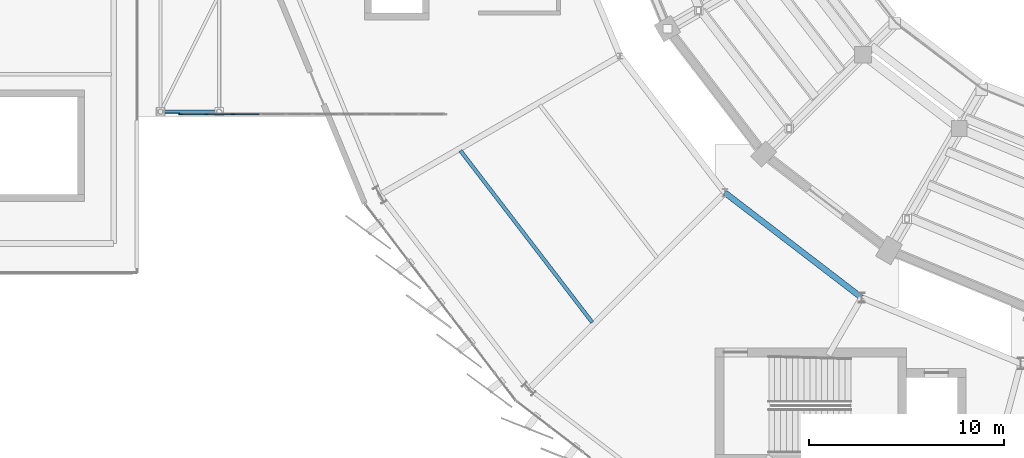
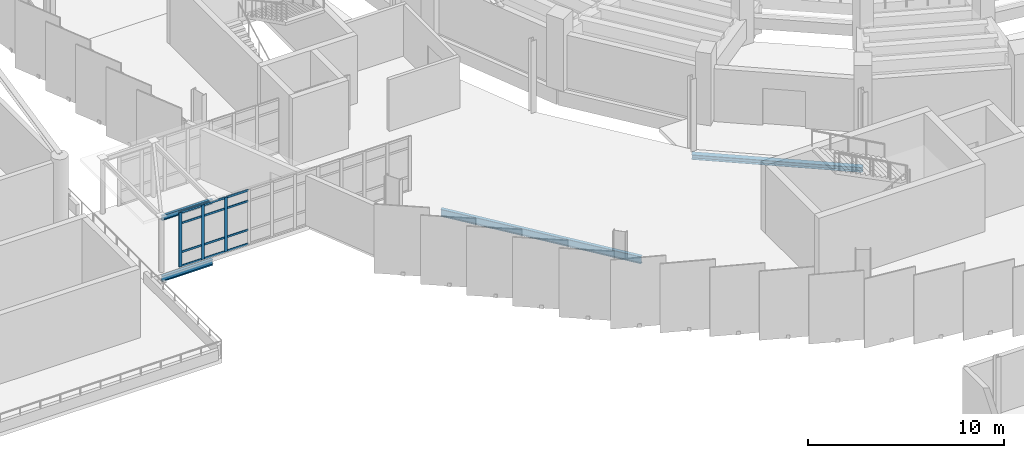
# One storey, part 27 of 120: 15 members, 4 beams, 1 element without a shape of its own.
"""IFC4 building model written with IfcOpenShell, lengths in metres."""

import ifcopenshell
import ifcopenshell.guid

model = None  # the IFC model being written
_history = None  # IfcOwnerHistory: only IFC2X3 demands one
_inside = {}  # id of a spatial element -> (the spatial element, [elements in it])
_under = {}  # id of a project, library or spatial element -> (it, [spatial elements below it])
_declared = {}  # id of a project -> (the project, [libraries it declares])
_typed = {}  # id of a type object -> (the type object, [elements of that type])
_made_of = {}  # id of a material, layer set ... -> (it, [elements and type objects made of it])


def new_model(schema):
    """Start an empty IFC model of exactly this schema.

    Asked for "IFC4X3", IfcOpenShell would pick the latest addendum, in which some entities
    have other attributes; the version numbers below select the first issue.
    IFC2X3 requires an IfcOwnerHistory on every rooted entity: one is made here for all.
    """
    global model, _history
    if schema == "IFC4X3":
        model = ifcopenshell.file(schema_version=(4, 3, 0, 0))
    else:
        model = ifcopenshell.file(schema=schema)
    _inside.clear()
    _under.clear()
    _declared.clear()
    _typed.clear()
    _made_of.clear()
    _history = None
    if model.schema == "IFC2X3":
        org = make("IfcOrganization", Name="unknown")
        user = make(
            "IfcPersonAndOrganization",
            ThePerson=make("IfcPerson", FamilyName="unknown"),
            TheOrganization=org,
        )
        app = make(
            "IfcApplication",
            ApplicationDeveloper=org,
            Version="unknown",
            ApplicationFullName="unknown",
            ApplicationIdentifier="unknown",
        )
        _history = make(
            "IfcOwnerHistory",
            OwningUser=user,
            OwningApplication=app,
            ChangeAction="ADDED",
            CreationDate=0,
        )
    return model


def make(cls, **values):
    """One entity of the class cls with the attributes given. An attribute that is None is left unset."""
    return model.create_entity(
        cls, **{name: value for name, value in values.items() if value is not None}
    )


def rooted(cls, **values):
    """An entity with a GlobalId (a new one), such as an element, a storey or a relation."""
    return make(cls, GlobalId=ifcopenshell.guid.new(), OwnerHistory=_history, **values)


def si_unit(unit_type, name, prefix=None):
    """IfcSIUnit, for example si_unit("LENGTHUNIT", "METRE", prefix="MILLI")."""
    return make("IfcSIUnit", UnitType=unit_type, Prefix=prefix, Name=name)


def assignment(units):
    """IfcUnitAssignment: the units of a project."""
    return None if units is None else make("IfcUnitAssignment", Units=units)


def point(xyz):
    """IfcCartesianPoint."""
    return None if xyz is None else make("IfcCartesianPoint", Coordinates=xyz)


def direction(xyz):
    """IfcDirection."""
    return None if xyz is None else make("IfcDirection", DirectionRatios=xyz)


def frame(location, z_axis=None, x_axis=None):
    """IfcAxis2Placement3D, a coordinate frame: its origin and axes. An axis left out is left unset."""
    return make(
        "IfcAxis2Placement3D",
        Location=point(location),
        Axis=direction(z_axis),
        RefDirection=direction(x_axis),
    )


def frame_2d(location, x_axis=None):
    """IfcAxis2Placement2D, a coordinate frame in the plane: its origin and x axis."""
    return make(
        "IfcAxis2Placement2D", Location=point(location), RefDirection=direction(x_axis)
    )


def origin():
    """The frame at (0, 0, 0) with its axes left unset."""
    return frame((0.0, 0.0, 0.0))


def origin_2d():
    """The frame at (0, 0) in the plane with its x axis left unset."""
    return frame_2d((0.0, 0.0))


def place(relative_to, where):
    """IfcLocalPlacement: puts the frame where relative to a parent placement (None: the world)."""
    return make(
        "IfcLocalPlacement", PlacementRelTo=relative_to, RelativePlacement=where
    )


def context(
    kind, dimensions, precision=None, world=None, true_north=None, identifier=None
):
    """IfcGeometricRepresentationContext, for example the 3D "Model" context."""
    return make(
        "IfcGeometricRepresentationContext",
        ContextIdentifier=identifier,
        ContextType=kind,
        CoordinateSpaceDimension=dimensions,
        Precision=precision,
        WorldCoordinateSystem=world,
        TrueNorth=true_north,
    )


def subcontext(parent, identifier, kind, view, scale=None):
    """IfcGeometricRepresentationSubContext, for example "Body" below "Model"."""
    return make(
        "IfcGeometricRepresentationSubContext",
        ContextIdentifier=identifier,
        ContextType=kind,
        ParentContext=parent,
        TargetScale=scale,
        TargetView=view,
    )


def project(units=None, contexts=None):
    """IfcProject with its units and contexts."""
    return rooted(
        "IfcProject",
        Name="project",
        RepresentationContexts=contexts,
        UnitsInContext=assignment(units),
    )


def spatial(cls, under=None, at=None, **own):
    """A site, building, storey or space (cls), placed at a placement, below another one or the project."""
    s = rooted(cls, ObjectPlacement=at, **own)
    if under is not None:
        _under.setdefault(under.id(), (under, []))[1].append(s)
    return s


def profile(cls, at=None, kind="AREA", **sizes):
    """A parametric profile (cls). Its sizes go by their IFC names, for example OverallWidth=200.0."""
    return make(cls, ProfileType=kind, Position=at, **sizes)


def rectangle(**sizes):
    """IfcRectangleProfileDef."""
    return profile("IfcRectangleProfileDef", **sizes)


def i_section(**sizes):
    """IfcIShapeProfileDef."""
    return profile("IfcIShapeProfileDef", **sizes)


def extrude(swept, where, along, depth):
    """IfcExtrudedAreaSolid: the profile swept, set in the frame where, extruded along a direction by depth."""
    return make(
        "IfcExtrudedAreaSolid",
        SweptArea=swept,
        Position=where,
        ExtrudedDirection=direction(along),
        Depth=depth,
    )


def shape(context_of_items, identifier, shape_type, items):
    """IfcShapeRepresentation: the items that make up one representation, for example the "Body"."""
    return make(
        "IfcShapeRepresentation",
        ContextOfItems=context_of_items,
        RepresentationIdentifier=identifier,
        RepresentationType=shape_type,
        Items=items,
    )


def material(Name=None, Category=None):
    """IfcMaterial."""
    return make("IfcMaterial", Name=Name, Category=Category)


def layer(
    of_material, thickness, ventilated=None, Name=None, Category=None, Priority=None
):
    """IfcMaterialLayer: one layer of a wall or slab, of a material (None: an air gap)."""
    return make(
        "IfcMaterialLayer",
        Material=of_material,
        LayerThickness=thickness,
        IsVentilated=ventilated,
        Name=Name,
        Category=Category,
        Priority=Priority,
    )


def layer_set(layers, Name=None):
    """IfcMaterialLayerSet."""
    return make("IfcMaterialLayerSet", MaterialLayers=layers, LayerSetName=Name)


def material_profile(
    of_material, cross_section, Name=None, Category=None, Priority=None
):
    """IfcMaterialProfile: a cross section and its material."""
    return make(
        "IfcMaterialProfile",
        Name=Name,
        Material=of_material,
        Profile=cross_section,
        Priority=Priority,
        Category=Category,
    )


def profile_set(profiles, Name=None, composite=None):
    """IfcMaterialProfileSet."""
    return make(
        "IfcMaterialProfileSet",
        Name=Name,
        MaterialProfiles=profiles,
        CompositeProfile=composite,
    )


def made_of(thing, what):
    """Note that an element or type object is made of a material, layer set ...; save() writes the relation."""
    if what is not None:
        _made_of.setdefault(what.id(), (what, []))[1].append(thing)
    return thing


def type_object(cls, material=None, **own):
    """A type object (cls), such as IfcWallType, which elements share."""
    return made_of(rooted(cls, **own), material)


def element(
    cls,
    number,
    at=None,
    inside=None,
    cuts=None,
    type_object=None,
    material=None,
    context=None,
    identifier="Body",
    shape_type=None,
    held_by="IfcProductDefinitionShape",
    body=None,
    shapes=None,
    **own,
):
    """One element of the class cls, such as IfcWall. Its Tag is "e" and its number.

    at: its placement. inside: the storey or other place that contains it. cuts: it is an
    opening in that element (IfcRelVoidsElement). A single representation is given by context,
    identifier, shape_type and body (its items); several are given by shapes. held_by: the class
    of the entity that holds the representations. save() writes the other relations.
    """
    e = rooted(cls, Tag="e%d" % number, ObjectPlacement=at, **own)
    if body is not None:
        shapes = [shape(context, identifier, shape_type, body)]
    if shapes is not None:
        e.Representation = make(held_by, Representations=shapes)
    if inside is not None:
        _inside.setdefault(inside.id(), (inside, []))[1].append(e)
    if cuts is not None:
        rooted(
            "IfcRelVoidsElement", RelatingBuildingElement=cuts, RelatedOpeningElement=e
        )
    if type_object is not None:
        _typed.setdefault(type_object.id(), (type_object, []))[1].append(e)
    return made_of(e, material)


def aggregate(whole, parts):
    """IfcRelAggregates: a whole, such as a stair, and the parts it consists of."""
    return rooted("IfcRelAggregates", RelatingObject=whole, RelatedObjects=parts)


def save(model, path):
    """Write the relations noted so far, then the file.

    IfcRelAggregates (storeys below a building ...), IfcRelContainedInSpatialStructure (elements
    in a storey), IfcRelDefinesByType, IfcRelAssociatesMaterial and IfcRelDeclares: one each for
    every whole, place, type object, material and project.
    """
    for whole, parts in _under.values():
        aggregate(whole, parts)
    for where, things in _inside.values():
        rooted(
            "IfcRelContainedInSpatialStructure",
            RelatedElements=things,
            RelatingStructure=where,
        )
    for kind, things in _typed.values():
        rooted("IfcRelDefinesByType", RelatedObjects=things, RelatingType=kind)
    for what, things in _made_of.values():
        rooted("IfcRelAssociatesMaterial", RelatedObjects=things, RelatingMaterial=what)
    for by, libraries in _declared.values():
        rooted("IfcRelDeclares", RelatingContext=by, RelatedDefinitions=libraries)
    model.write(path)


model = new_model("IFC4")

# Units and contexts
model_context = context("Model", 3, precision=1e-05, world=origin(), true_north=direction((0.0, 1.0)))
body_context = subcontext(model_context, "Body", "Model", "MODEL_VIEW")
ifc_project = project(units=[si_unit("LENGTHUNIT", "METRE"), si_unit("AREAUNIT", "SQUARE_METRE"), si_unit("VOLUMEUNIT", "CUBIC_METRE"), si_unit("PLANEANGLEUNIT", "RADIAN"), si_unit("MASSUNIT", "GRAM", prefix="KILO")], contexts=[model_context])

# Site, building, storey
site_placement = place(None, origin())
site = spatial("IfcSite", under=ifc_project, at=site_placement, CompositionType="ELEMENT")
building_placement = place(site_placement, origin())
building = spatial("IfcBuilding", under=site, at=building_placement, Name="Sohan Crest Arena", CompositionType="ELEMENT")
storey_placement = place(building_placement, frame((0.0, 0.0, 13.5)))
storey = spatial("IfcBuildingStorey", under=building, at=storey_placement, Name="L03", CompositionType="ELEMENT", Elevation=13.5)

# Curtain wall, members
ifc_material_1 = material(Name="Thermally broken anodised aluminium", Category="aluminium")
ifc_layer = layer(ifc_material_1, 0.18994140625, Name="Thermally broken anodised aluminium")
ifc_layer_set = layer_set([ifc_layer], Name="Thermally broken anodised aluminium")
curtain_wall_type = type_object("IfcCurtainWallType", Name="ARC-CW05", PredefinedType="NOTDEFINED", material=ifc_layer_set)
curtain_wall_placement = place(storey_placement, origin())
curtain_wall = element("IfcCurtainWall", 1, at=curtain_wall_placement, inside=storey, type_object=curtain_wall_type, Name="Unitised curtain wall CW-229", PredefinedType="NOTDEFINED")
ifc_material_profile_1 = material_profile(ifc_material_1, rectangle(XDim=0.06494140625, YDim=0.179931640625, at=origin_2d()), Name="ALU-MULL 65x180")
ifc_profile_set_1 = profile_set([ifc_material_profile_1], Name="Thermally broken anodised aluminium")
member_type_1 = type_object("IfcMemberType", Name="ARC-CW-ML02", PredefinedType="MULLION", material=ifc_profile_set_1)
member_1_placement = place(storey_placement, frame((46.232421875, 58.1201171875, 0.0), z_axis=(0.0, 0.0, 1.0), x_axis=(0.0, 1.0, 0.0)))
member_1 = element("IfcMember", 2, at=member_1_placement, type_object=member_type_1, Name="CW-229 mullion 1", PredefinedType="MULLION", context=body_context, shape_type="SweptSolid", body=[
    extrude(rectangle(XDim=0.06494140625, YDim=0.179931640625, at=origin_2d()), origin(), (0.0, 0.0, 1.0), 3.39990234375),
])
member_2_placement = place(storey_placement, frame((47.56005859375, 58.1201171875, 0.0), z_axis=(0.0, 0.0, 1.0), x_axis=(0.0, 1.0, 0.0)))
member_2 = element("IfcMember", 3, at=member_2_placement, type_object=member_type_1, Name="CW-229 mullion 2", PredefinedType="MULLION", context=body_context, shape_type="SweptSolid", body=[
    extrude(rectangle(XDim=0.06494140625, YDim=0.179931640625, at=origin_2d()), origin(), (0.0, 0.0, 1.0), 3.39990234375),
])
member_3_placement = place(storey_placement, frame((48.919921875, 58.1201171875, 0.0), z_axis=(0.0, 0.0, 1.0), x_axis=(0.0, 1.0, 0.0)))
member_3 = element("IfcMember", 4, at=member_3_placement, type_object=member_type_1, Name="CW-229 mullion 3", PredefinedType="MULLION", context=body_context, shape_type="SweptSolid", body=[
    extrude(rectangle(XDim=0.06494140625, YDim=0.179931640625, at=origin_2d()), origin(), (0.0, 0.0, 1.0), 3.39990234375),
])
ifc_material_profile_2 = material_profile(ifc_material_1, rectangle(XDim=0.06005859375, YDim=0.1201171875, at=origin_2d()), Name="ALU-TRAN 60x120")
ifc_profile_set_2 = profile_set([ifc_material_profile_2], Name="Thermally broken anodised aluminium")
member_type_2 = type_object("IfcMemberType", Name="ARC-CW-TR01", PredefinedType="USERDEFINED", material=ifc_profile_set_2)
member_4_placement = place(storey_placement, frame((46.264892578125, 58.1201171875, 0.030029296875), z_axis=(1.0, 0.0, 0.0), x_axis=(0.0, 1.0, 0.0)))
member_4 = element("IfcMember", 5, at=member_4_placement, type_object=member_type_2, Name="CW-229 transom 1.1", ObjectType="TRANSOM", PredefinedType="USERDEFINED", context=body_context, shape_type="SweptSolid", body=[
    extrude(rectangle(XDim=0.06005859375, YDim=0.1201171875, at=origin_2d()), origin(), (0.0, 0.0, 1.0), 1.2626953125),
])
member_5_placement = place(storey_placement, frame((46.264892578125, 58.1201171875, 0.89990234375), z_axis=(1.0, 0.0, 0.0), x_axis=(0.0, 1.0, 0.0)))
member_5 = element("IfcMember", 6, at=member_5_placement, type_object=member_type_2, Name="CW-229 transom 1.2", ObjectType="TRANSOM", PredefinedType="USERDEFINED", context=body_context, shape_type="SweptSolid", body=[
    extrude(rectangle(XDim=0.06005859375, YDim=0.1201171875, at=origin_2d()), origin(), (0.0, 0.0, 1.0), 1.2626953125),
])
member_6_placement = place(storey_placement, frame((46.264892578125, 58.1201171875, 2.699951171875), z_axis=(1.0, 0.0, 0.0), x_axis=(0.0, 1.0, 0.0)))
member_6 = element("IfcMember", 7, at=member_6_placement, type_object=member_type_2, Name="CW-229 transom 1.3", ObjectType="TRANSOM", PredefinedType="USERDEFINED", context=body_context, shape_type="SweptSolid", body=[
    extrude(rectangle(XDim=0.06005859375, YDim=0.1201171875, at=origin_2d()), origin(), (0.0, 0.0, 1.0), 1.2626953125),
])
member_7_placement = place(storey_placement, frame((46.264892578125, 58.1201171875, 3.3701171875), z_axis=(1.0, 0.0, 0.0), x_axis=(0.0, 1.0, 0.0)))
member_7 = element("IfcMember", 8, at=member_7_placement, type_object=member_type_2, Name="CW-229 transom 1.4", ObjectType="TRANSOM", PredefinedType="USERDEFINED", context=body_context, shape_type="SweptSolid", body=[
    extrude(rectangle(XDim=0.06005859375, YDim=0.1201171875, at=origin_2d()), origin(), (0.0, 0.0, 1.0), 1.2626953125),
])
member_8_placement = place(storey_placement, frame((47.592529296875, 58.1201171875, 0.030029296875), z_axis=(1.0, 0.0, 0.0), x_axis=(0.0, 1.0, 0.0)))
member_8 = element("IfcMember", 9, at=member_8_placement, type_object=member_type_2, Name="CW-229 transom 2.1", ObjectType="TRANSOM", PredefinedType="USERDEFINED", context=body_context, shape_type="SweptSolid", body=[
    extrude(rectangle(XDim=0.06005859375, YDim=0.1201171875, at=origin_2d()), origin(), (0.0, 0.0, 1.0), 1.294921875),
])
member_9_placement = place(storey_placement, frame((47.592529296875, 58.1201171875, 0.89990234375), z_axis=(1.0, 0.0, 0.0), x_axis=(0.0, 1.0, 0.0)))
member_9 = element("IfcMember", 10, at=member_9_placement, type_object=member_type_2, Name="CW-229 transom 2.2", ObjectType="TRANSOM", PredefinedType="USERDEFINED", context=body_context, shape_type="SweptSolid", body=[
    extrude(rectangle(XDim=0.06005859375, YDim=0.1201171875, at=origin_2d()), origin(), (0.0, 0.0, 1.0), 1.294921875),
])
member_10_placement = place(storey_placement, frame((47.592529296875, 58.1201171875, 2.699951171875), z_axis=(1.0, 0.0, 0.0), x_axis=(0.0, 1.0, 0.0)))
member_10 = element("IfcMember", 11, at=member_10_placement, type_object=member_type_2, Name="CW-229 transom 2.3", ObjectType="TRANSOM", PredefinedType="USERDEFINED", context=body_context, shape_type="SweptSolid", body=[
    extrude(rectangle(XDim=0.06005859375, YDim=0.1201171875, at=origin_2d()), origin(), (0.0, 0.0, 1.0), 1.294921875),
])
member_11_placement = place(storey_placement, frame((47.592529296875, 58.1201171875, 3.3701171875), z_axis=(1.0, 0.0, 0.0), x_axis=(0.0, 1.0, 0.0)))
member_11 = element("IfcMember", 12, at=member_11_placement, type_object=member_type_2, Name="CW-229 transom 2.4", ObjectType="TRANSOM", PredefinedType="USERDEFINED", context=body_context, shape_type="SweptSolid", body=[
    extrude(rectangle(XDim=0.06005859375, YDim=0.1201171875, at=origin_2d()), origin(), (0.0, 0.0, 1.0), 1.294921875),
])
member_12_placement = place(storey_placement, frame((48.952392578125, 58.1201171875, 0.030029296875), z_axis=(1.0, 0.0, 0.0), x_axis=(0.0, 1.0, 0.0)))
member_12 = element("IfcMember", 13, at=member_12_placement, type_object=member_type_2, Name="CW-229 transom 3.1", ObjectType="TRANSOM", PredefinedType="USERDEFINED", context=body_context, shape_type="SweptSolid", body=[
    extrude(rectangle(XDim=0.06005859375, YDim=0.1201171875, at=origin_2d()), origin(), (0.0, 0.0, 1.0), 1.295166015625),
])
member_13_placement = place(storey_placement, frame((48.952392578125, 58.1201171875, 0.89990234375), z_axis=(1.0, 0.0, 0.0), x_axis=(0.0, 1.0, 0.0)))
member_13 = element("IfcMember", 14, at=member_13_placement, type_object=member_type_2, Name="CW-229 transom 3.2", ObjectType="TRANSOM", PredefinedType="USERDEFINED", context=body_context, shape_type="SweptSolid", body=[
    extrude(rectangle(XDim=0.06005859375, YDim=0.1201171875, at=origin_2d()), origin(), (0.0, 0.0, 1.0), 1.295166015625),
])
member_14_placement = place(storey_placement, frame((48.952392578125, 58.1201171875, 2.699951171875), z_axis=(1.0, 0.0, 0.0), x_axis=(0.0, 1.0, 0.0)))
member_14 = element("IfcMember", 15, at=member_14_placement, type_object=member_type_2, Name="CW-229 transom 3.3", ObjectType="TRANSOM", PredefinedType="USERDEFINED", context=body_context, shape_type="SweptSolid", body=[
    extrude(rectangle(XDim=0.06005859375, YDim=0.1201171875, at=origin_2d()), origin(), (0.0, 0.0, 1.0), 1.295166015625),
])
member_15_placement = place(storey_placement, frame((48.952392578125, 58.1201171875, 3.3701171875), z_axis=(1.0, 0.0, 0.0), x_axis=(0.0, 1.0, 0.0)))
member_15 = element("IfcMember", 16, at=member_15_placement, type_object=member_type_2, Name="CW-229 transom 3.4", ObjectType="TRANSOM", PredefinedType="USERDEFINED", context=body_context, shape_type="SweptSolid", body=[
    extrude(rectangle(XDim=0.06005859375, YDim=0.1201171875, at=origin_2d()), origin(), (0.0, 0.0, 1.0), 1.295166015625),
])
aggregate(curtain_wall, [member_1, member_2, member_3, member_4, member_5, member_6, member_7, member_8, member_9, member_10, member_11, member_12, member_13, member_14, member_15])

# Beams
ifc_material_2 = material(Name="Steel S355", Category="steel")
ifc_material_profile_3 = material_profile(ifc_material_2, i_section(OverallWidth=0.14990234375, OverallDepth=0.300048828125, WebThickness=0.007080078125, FlangeThickness=0.0107421875, at=origin_2d()), Name="IPE 300")
ifc_profile_set_3 = profile_set([ifc_material_profile_3], Name="Steel S355")
beam_type_1 = type_object("IfcBeamType", Name="STR-BM-B01", PredefinedType="JOIST", material=ifc_profile_set_3)
beam_1_placement = place(storey_placement, frame((45.199951171875, 58.25, 3.324951171875), z_axis=(1.0, 0.0, 0.0), x_axis=(0.0, 1.0, 0.0)))
element("IfcBeam", 17, at=beam_1_placement, inside=storey, type_object=beam_type_1, Name="Structural beam BRG-L03-2936", PredefinedType="JOIST", context=body_context, shape_type="SweptSolid", body=[
    extrude(i_section(OverallWidth=0.14990234375, OverallDepth=0.300048828125, WebThickness=0.007080078125, FlangeThickness=0.0107421875, at=origin_2d()), origin(), (0.0, 0.0, 1.0), 3.0),
])
ifc_material_profile_4 = material_profile(ifc_material_2, i_section(OverallWidth=0.169921875, OverallDepth=0.360107421875, WebThickness=0.008056640625, FlangeThickness=0.0126953125, at=origin_2d()), Name="IPE 360")
ifc_profile_set_4 = profile_set([ifc_material_profile_4], Name="Steel S355")
beam_type_2 = type_object("IfcBeamType", Name="STR-BM-B02", PredefinedType="JOIST", material=ifc_profile_set_4)
beam_2_placement = place(storey_placement, frame((45.199951171875, 58.25, -0.455078125), z_axis=(1.0, 0.0, 0.0), x_axis=(0.0, 1.0, 0.0)))
element("IfcBeam", 18, at=beam_2_placement, inside=storey, type_object=beam_type_2, Name="Structural beam BG-L03-2932", PredefinedType="JOIST", context=body_context, shape_type="SweptSolid", body=[
    extrude(i_section(OverallWidth=0.169921875, OverallDepth=0.360107421875, WebThickness=0.008056640625, FlangeThickness=0.0126953125, at=origin_2d()), origin(), (0.0, 0.0, 1.0), 3.0),
])
ifc_material_profile_5 = material_profile(ifc_material_2, i_section(OverallWidth=0.18994140625, OverallDepth=0.449951171875, WebThickness=0.009521484375, FlangeThickness=0.0146484375, at=origin_2d()), Name="IPE 450")
ifc_profile_set_5 = profile_set([ifc_material_profile_5], Name="Steel S355")
beam_type_3 = type_object("IfcBeamType", Name="STR-BM-B04", PredefinedType="JOIST", material=ifc_profile_set_5)
beam_3_placement = place(storey_placement, frame((60.555908203125, 56.256103515625, -0.47509765625), z_axis=(0.608788813613, -0.793332326594, 0.0), x_axis=(0.793332326594, 0.608788813613, 0.0)))
element("IfcBeam", 19, at=beam_3_placement, inside=storey, type_object=beam_type_3, Name="Structural beam J-L03-1434", PredefinedType="JOIST", context=body_context, shape_type="SweptSolid", body=[
    extrude(i_section(OverallWidth=0.18994140625, OverallDepth=0.449951171875, WebThickness=0.009521484375, FlangeThickness=0.0146484375, at=origin_2d()), origin(), (0.0, 0.0, 1.0), 11.087646484375),
])
ifc_material_profile_6 = material_profile(ifc_material_2, i_section(OverallWidth=0.300048828125, OverallDepth=0.300048828125, WebThickness=0.010986328125, FlangeThickness=0.01904296875, at=origin_2d()), Name="HEB 300")
ifc_profile_set_6 = profile_set([ifc_material_profile_6], Name="Steel S355")
beam_type_4 = type_object("IfcBeamType", Name="STR-BM-B12", PredefinedType="BEAM", material=ifc_profile_set_6)
beam_4_placement = place(storey_placement, frame((74.10009765625, 54.10009765625, -0.39990234375), z_axis=(0.793310569192, -0.608817165336, 0.0), x_axis=(0.608817165336, 0.793310569192, 0.0)))
element("IfcBeam", 20, at=beam_4_placement, inside=storey, type_object=beam_type_4, Name="Structural beam G-L03-1436", PredefinedType="BEAM", context=body_context, shape_type="SweptSolid", body=[
    extrude(i_section(OverallWidth=0.300048828125, OverallDepth=0.300048828125, WebThickness=0.010986328125, FlangeThickness=0.01904296875, at=origin_2d()), origin(), (0.0, 0.0, 1.0), 8.82373046875),
])

save(model, "model.ifc")
